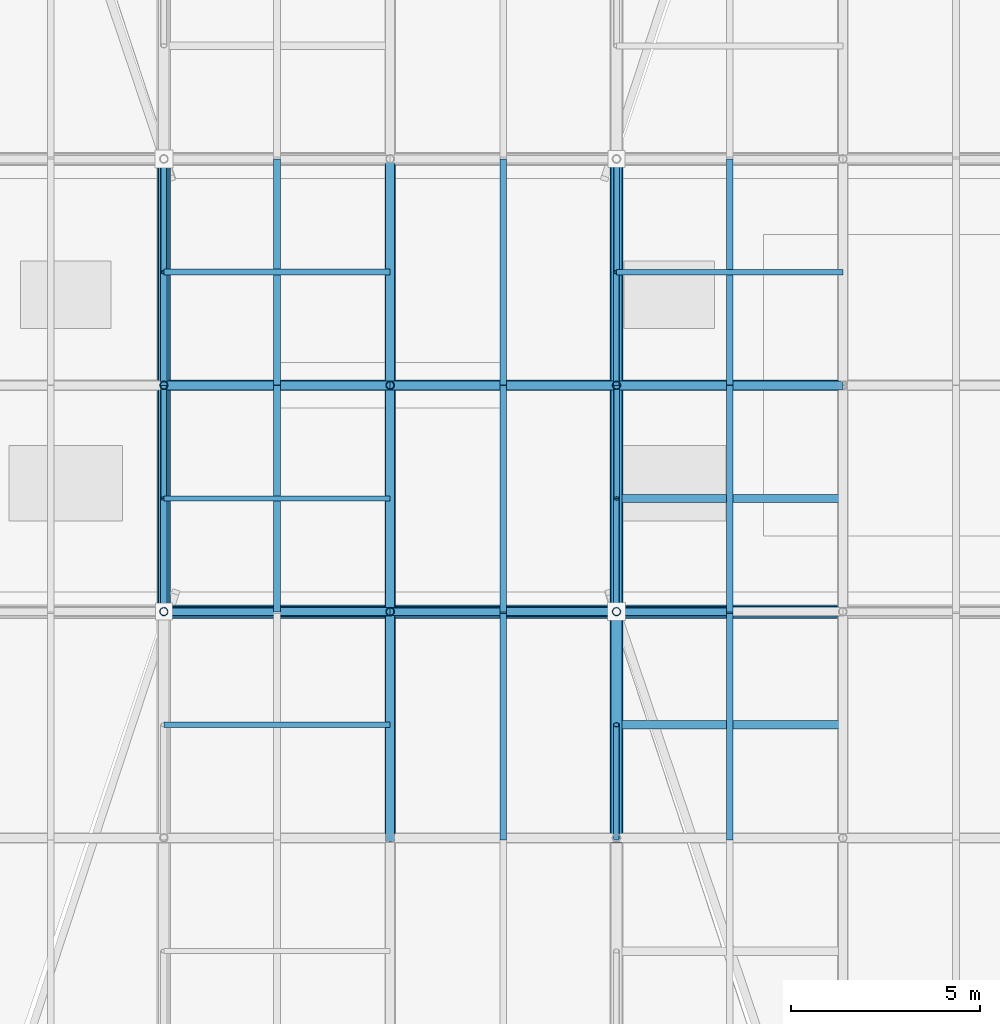
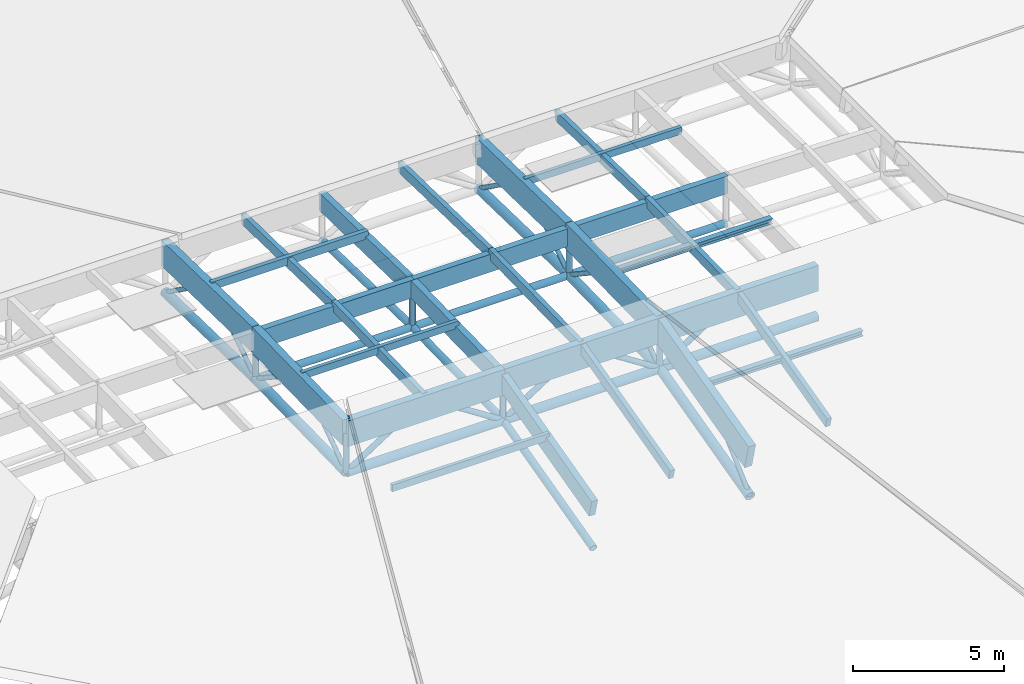
# One storey, part 21 of 80: 62 members.
"""IFC4 building model written with IfcOpenShell, lengths in metres."""

from ifc_helpers import new_model, si_unit, direction, frame, origin, origin_2d, place, context, subcontext, project, spatial, rectangle, hollow_circle, i_section, extrude, material, material_profile, profile_set, type_object, element, save


model = new_model("IFC4")

# Units and contexts
model_context = context("Model", 3, precision=1e-05, world=origin(), true_north=direction((0.0, 1.0)))
body_context = subcontext(model_context, "Body", "Model", "MODEL_VIEW")
ifc_project = project(units=[si_unit("LENGTHUNIT", "METRE"), si_unit("AREAUNIT", "SQUARE_METRE"), si_unit("VOLUMEUNIT", "CUBIC_METRE"), si_unit("PLANEANGLEUNIT", "RADIAN"), si_unit("MASSUNIT", "GRAM", prefix="KILO"), si_unit("THERMODYNAMICTEMPERATUREUNIT", "KELVIN"), si_unit("POWERUNIT", "WATT")], contexts=[model_context])

# Site, building, storey
site_placement = place(None, origin())
site = spatial("IfcSite", under=ifc_project, at=site_placement, CompositionType="ELEMENT")
building_placement = place(site_placement, origin())
building = spatial("IfcBuilding", under=site, at=building_placement, Name="Solmara Park Aquatics Centre", CompositionType="ELEMENT")
storey_placement = place(building_placement, frame((0.0, 0.0, 22.800048828125)))
storey = spatial("IfcBuildingStorey", under=building, at=storey_placement, Name="RF", CompositionType="ELEMENT", Elevation=22.800048828125)

# Members
ifc_material_1 = material(Name="Structural Steel S355", Category="steel")
ifc_material_profile_1 = material_profile(ifc_material_1, hollow_circle(Radius=0.084228515625, WallThickness=0.008056640625, at=origin_2d()), Name="CHS 168.3x8")
ifc_profile_set_1 = profile_set([ifc_material_profile_1], Name="Structural Steel S355")
member_type_1 = type_object("IfcMemberType", Name="STR-BRC-CHS168", PredefinedType="BRACE", material=ifc_profile_set_1)
member_1_placement = place(storey_placement, frame((60.60009765625, 30.60009765625, -6.486328125), z_axis=(0.0, 0.736437262703, 0.67650584484), x_axis=(-1.0, 0.0, 0.0)))
element("IfcMember", 1, at=member_1_placement, inside=storey, type_object=member_type_1, Name="Roof Truss Web Diagonal Y 1969", PredefinedType="BRACE", context=body_context, shape_type="SweptSolid", body=[
    extrude(hollow_circle(Radius=0.084228515625, WallThickness=0.008056640625, at=origin_2d()), origin(), (0.0, 0.0, 1.0), 4.07373046875),
])
member_2_placement = place(storey_placement, frame((48.60009765625, 36.60009765625, -4.9345703125), z_axis=(0.0, 0.817371378816, 0.576111125645), x_axis=(-1.0, 0.0, 0.0)))
element("IfcMember", 2, at=member_2_placement, inside=storey, type_object=member_type_1, Name="Roof Truss Web Diagonal Y 1994", PredefinedType="BRACE", context=body_context, shape_type="SweptSolid", body=[
    extrude(hollow_circle(Radius=0.084228515625, WallThickness=0.008056640625, at=origin_2d()), origin(), (0.0, 0.0, 1.0), 3.67041015625),
])
member_3_placement = place(storey_placement, frame((48.60009765625, 42.60009765625, -4.800048828125), z_axis=(0.0, -0.834611904619, 0.550838423377), x_axis=(1.0, 0.0, 0.0)))
element("IfcMember", 3, at=member_3_placement, inside=storey, type_object=member_type_1, Name="Roof Truss Web Diagonal Y 1995", PredefinedType="BRACE", context=body_context, shape_type="SweptSolid", body=[
    extrude(hollow_circle(Radius=0.084228515625, WallThickness=0.008056640625, at=origin_2d()), origin(), (0.0, 0.0, 1.0), 3.594482421875),
])
member_4_placement = place(storey_placement, frame((60.60009765625, 36.60009765625, -4.9345703125), z_axis=(0.0, 0.817371378816, 0.576111125645), x_axis=(-1.0, 0.0, 0.0)))
element("IfcMember", 4, at=member_4_placement, inside=storey, type_object=member_type_1, Name="Roof Truss Web Diagonal Y 1996", PredefinedType="BRACE", context=body_context, shape_type="SweptSolid", body=[
    extrude(hollow_circle(Radius=0.084228515625, WallThickness=0.008056640625, at=origin_2d()), origin(), (0.0, 0.0, 1.0), 3.67041015625),
])
for number, where, z_axis, x_axis, name in (
    (5, (60.60009765625, 42.60009765625, -4.800048828125), (0.0, -0.834611904619, 0.550838423377), (1.0, 0.0, 0.0), "Roof Truss Web Diagonal Y 1997"),
    (6, (48.60009765625, 42.60009765625, -4.800048828125), (0.0, 0.834611904619, 0.550838423377), (-1.0, 0.0, 0.0), "Roof Truss Web Diagonal Y 2023"),
):
    element("IfcMember", number, at=place(storey_placement, frame(where, z_axis=z_axis, x_axis=x_axis)), inside=storey, type_object=member_type_1, Name=name, PredefinedType="BRACE", context=body_context, shape_type="SweptSolid", body=[
        extrude(hollow_circle(Radius=0.084228515625, WallThickness=0.008056640625, at=origin_2d()), origin(), (0.0, 0.0, 1.0), 3.594482421875),
    ])
member_5_placement = place(storey_placement, frame((48.60009765625, 48.60009765625, -4.9345703125), z_axis=(0.0, -0.817371378816, 0.576111125645), x_axis=(1.0, 0.0, 0.0)))
element("IfcMember", 7, at=member_5_placement, inside=storey, type_object=member_type_1, Name="Roof Truss Web Diagonal Y 2024", PredefinedType="BRACE", context=body_context, shape_type="SweptSolid", body=[
    extrude(hollow_circle(Radius=0.084228515625, WallThickness=0.008056640625, at=origin_2d()), origin(), (0.0, 0.0, 1.0), 3.67041015625),
])
member_6_placement = place(storey_placement, frame((60.60009765625, 42.60009765625, -4.800048828125), z_axis=(0.0, 0.834611904619, 0.550838423377), x_axis=(-1.0, 0.0, 0.0)))
element("IfcMember", 8, at=member_6_placement, inside=storey, type_object=member_type_1, Name="Roof Truss Web Diagonal Y 2025", PredefinedType="BRACE", context=body_context, shape_type="SweptSolid", body=[
    extrude(hollow_circle(Radius=0.084228515625, WallThickness=0.008056640625, at=origin_2d()), origin(), (0.0, 0.0, 1.0), 3.594482421875),
])
member_7_placement = place(storey_placement, frame((60.60009765625, 48.60009765625, -4.9345703125), z_axis=(0.0, -0.817371378816, 0.576111125645), x_axis=(1.0, 0.0, 0.0)))
element("IfcMember", 9, at=member_7_placement, inside=storey, type_object=member_type_1, Name="Roof Truss Web Diagonal Y 2026", PredefinedType="BRACE", context=body_context, shape_type="SweptSolid", body=[
    extrude(hollow_circle(Radius=0.084228515625, WallThickness=0.008056640625, at=origin_2d()), origin(), (0.0, 0.0, 1.0), 3.67041015625),
])
ifc_material_profile_2 = material_profile(ifc_material_1, hollow_circle(Radius=0.109619140625, WallThickness=0.010009765625, at=origin_2d()), Name="CHS 219.1x10")
ifc_profile_set_2 = profile_set([ifc_material_profile_2], Name="Structural Steel S355")
member_type_2 = type_object("IfcMemberType", Name="STR-BRC-CHS219", PredefinedType="BRACE", material=ifc_profile_set_2)
for number, where, z_axis, x_axis, name in (
    (10, (48.60009765625, 36.60009765625, -4.9345703125), (0.83972779743, 0.0, 0.543007574738), (0.0, 1.0, 0.0), "Roof Truss Web Diagonal X 1583"),
    (11, (54.60009765625, 36.60009765625, -4.9345703125), (-0.83972779743, 0.0, 0.543007574738), (0.0, -1.0, 0.0), "Roof Truss Web Diagonal X 1584"),
    (12, (54.60009765625, 36.60009765625, -4.9345703125), (0.83972779743, 0.0, 0.543007574738), (0.0, 1.0, 0.0), "Roof Truss Web Diagonal X 1613"),
    (13, (60.60009765625, 36.60009765625, -4.9345703125), (-0.83972779743, 0.0, 0.543007574738), (0.0, -1.0, 0.0), "Roof Truss Web Diagonal X 1614"),
    (14, (60.60009765625, 36.60009765625, -4.9345703125), (0.83972779743, 0.0, 0.543007574738), (0.0, 1.0, 0.0), "Roof Truss Web Diagonal X 1643"),
):
    element("IfcMember", number, at=place(storey_placement, frame(where, z_axis=z_axis, x_axis=x_axis)), inside=storey, type_object=member_type_2, Name=name, PredefinedType="BRACE", context=body_context, shape_type="SweptSolid", body=[
        extrude(hollow_circle(Radius=0.109619140625, WallThickness=0.010009765625, at=origin_2d()), origin(), (0.0, 0.0, 1.0), 3.572509765625),
    ])
ifc_material_profile_3 = material_profile(ifc_material_1, hollow_circle(Radius=0.136474609375, WallThickness=0.012451171875, at=origin_2d()), Name="CHS 273x12.5")
ifc_profile_set_3 = profile_set([ifc_material_profile_3], Name="Structural Steel S355")
member_type_3 = type_object("IfcMemberType", Name="STR-CHD-CHS273", PredefinedType="CHORD", material=ifc_profile_set_3)
for number, where, z_axis, x_axis, name in (
    (15, (48.60009765625, 42.60009765625, -4.800048828125), (1.0, 0.0, 0.0), (0.0, 1.0, 0.0), "Steel Roof Truss Bottom Chord X 0270"),
    (16, (54.60009765625, 42.60009765625, -4.800048828125), (1.0, 0.0, 0.0), (0.0, 1.0, 0.0), "Steel Roof Truss Bottom Chord X 0272"),
    (17, (60.60009765625, 42.60009765625, -4.800048828125), (1.0, 0.0, 0.0), (0.0, 1.0, 0.0), "Steel Roof Truss Bottom Chord X 0274"),
):
    element("IfcMember", number, at=place(storey_placement, frame(where, z_axis=z_axis, x_axis=x_axis)), inside=storey, type_object=member_type_3, Name=name, PredefinedType="CHORD", context=body_context, shape_type="SweptSolid", body=[
        extrude(hollow_circle(Radius=0.136474609375, WallThickness=0.012451171875, at=origin_2d()), origin(), (0.0, 0.0, 1.0), 6.0),
    ])
member_8_placement = place(storey_placement, frame((54.60009765625, 30.60009765625, -6.486328125), z_axis=(0.0, 0.968145594442, 0.250387914969), x_axis=(-1.0, 0.0, 0.0)))
element("IfcMember", 18, at=member_8_placement, inside=storey, type_object=member_type_3, Name="Steel Roof Truss Bottom Chord Y 0804", PredefinedType="CHORD", context=body_context, shape_type="SweptSolid", body=[
    extrude(hollow_circle(Radius=0.136474609375, WallThickness=0.012451171875, at=origin_2d()), origin(), (0.0, 0.0, 1.0), 6.197509765625),
])
for number, where, z_axis, x_axis, name in (
    (19, (54.60009765625, 36.60009765625, -4.9345703125), (0.0, 0.999748760967, 0.022414614555), (-1.0, 0.0, 0.0), "Steel Roof Truss Bottom Chord Y 0806"),
    (20, (54.60009765625, 42.60009765625, -4.800048828125), (0.0, 0.999748760967, -0.022414614555), (-1.0, 0.0, 0.0), "Steel Roof Truss Bottom Chord Y 0808"),
):
    element("IfcMember", number, at=place(storey_placement, frame(where, z_axis=z_axis, x_axis=x_axis)), inside=storey, type_object=member_type_3, Name=name, PredefinedType="CHORD", context=body_context, shape_type="SweptSolid", body=[
        extrude(hollow_circle(Radius=0.136474609375, WallThickness=0.012451171875, at=origin_2d()), origin(), (0.0, 0.0, 1.0), 6.00146484375),
    ])
ifc_material_profile_4 = material_profile(ifc_material_1, hollow_circle(Radius=0.177734375, WallThickness=0.01611328125, at=origin_2d()), Name="CHS 355.6x16")
ifc_profile_set_4 = profile_set([ifc_material_profile_4], Name="Structural Steel S355")
member_type_4 = type_object("IfcMemberType", Name="STR-CHD-CHS355", PredefinedType="CHORD", material=ifc_profile_set_4)
for number, where, z_axis, x_axis, name in (
    (21, (48.60009765625, 36.60009765625, -4.9345703125), (1.0, 0.0, 0.0), (0.0, 1.0, 0.0), "Steel Roof Truss Bottom Chord X 0234"),
    (22, (54.60009765625, 36.60009765625, -4.9345703125), (1.0, 0.0, 0.0), (0.0, 1.0, 0.0), "Steel Roof Truss Bottom Chord X 0236"),
    (23, (60.60009765625, 36.60009765625, -4.9345703125), (1.0, 0.0, 0.0), (0.0, 1.0, 0.0), "Steel Roof Truss Bottom Chord X 0238"),
):
    element("IfcMember", number, at=place(storey_placement, frame(where, z_axis=z_axis, x_axis=x_axis)), inside=storey, type_object=member_type_4, Name=name, PredefinedType="CHORD", context=body_context, shape_type="SweptSolid", body=[
        extrude(hollow_circle(Radius=0.177734375, WallThickness=0.01611328125, at=origin_2d()), origin(), (0.0, 0.0, 1.0), 6.0),
    ])
for number, where, z_axis, x_axis, name in (
    (24, (48.60009765625, 36.60009765625, -4.9345703125), (0.0, 0.999748760967, 0.022414614555), (-1.0, 0.0, 0.0), "Steel Roof Truss Bottom Chord Y 0778"),
    (25, (48.60009765625, 42.60009765625, -4.800048828125), (0.0, 0.999748760967, -0.022414614555), (-1.0, 0.0, 0.0), "Steel Roof Truss Bottom Chord Y 0780"),
):
    element("IfcMember", number, at=place(storey_placement, frame(where, z_axis=z_axis, x_axis=x_axis)), inside=storey, type_object=member_type_4, Name=name, PredefinedType="CHORD", context=body_context, shape_type="SweptSolid", body=[
        extrude(hollow_circle(Radius=0.177734375, WallThickness=0.01611328125, at=origin_2d()), origin(), (0.0, 0.0, 1.0), 6.00146484375),
    ])
member_9_placement = place(storey_placement, frame((60.60009765625, 30.60009765625, -6.486328125), z_axis=(0.0, 0.968145594442, 0.250387914969), x_axis=(-1.0, 0.0, 0.0)))
element("IfcMember", 26, at=member_9_placement, inside=storey, type_object=member_type_4, Name="Steel Roof Truss Bottom Chord Y 0832", PredefinedType="CHORD", context=body_context, shape_type="SweptSolid", body=[
    extrude(hollow_circle(Radius=0.177734375, WallThickness=0.01611328125, at=origin_2d()), origin(), (0.0, 0.0, 1.0), 6.197509765625),
])
for number, where, z_axis, x_axis, name in (
    (27, (60.60009765625, 36.60009765625, -4.9345703125), (0.0, 0.999748760967, 0.022414614555), (-1.0, 0.0, 0.0), "Steel Roof Truss Bottom Chord Y 0834"),
    (28, (60.60009765625, 42.60009765625, -4.800048828125), (0.0, 0.999748760967, -0.022414614555), (-1.0, 0.0, 0.0), "Steel Roof Truss Bottom Chord Y 0836"),
):
    element("IfcMember", number, at=place(storey_placement, frame(where, z_axis=z_axis, x_axis=x_axis)), inside=storey, type_object=member_type_4, Name=name, PredefinedType="CHORD", context=body_context, shape_type="SweptSolid", body=[
        extrude(hollow_circle(Radius=0.177734375, WallThickness=0.01611328125, at=origin_2d()), origin(), (0.0, 0.0, 1.0), 6.00146484375),
    ])
ifc_material_2 = material(Name="Glulam Timber GL28h", Category="wood")
ifc_material_profile_5 = material_profile(ifc_material_2, rectangle(XDim=0.239990234375, YDim=0.719970703125, at=origin_2d()), Name="GL28h 240x720")
ifc_profile_set_5 = profile_set([ifc_material_profile_5], Name="Glulam Timber GL28h")
member_type_5 = type_object("IfcMemberType", Name="STR-CHD-GL240x720", PredefinedType="CHORD", material=ifc_profile_set_5)
for number, where, z_axis, x_axis, name in (
    (29, (48.60009765625, 42.60009765625, -3.179931640625), (1.0, 0.0, 0.0), (0.0, 1.0, 0.0), "Glulam Roof Truss Top Chord X 0269"),
    (30, (54.60009765625, 42.60009765625, -3.179931640625), (1.0, 0.0, 0.0), (0.0, 1.0, 0.0), "Glulam Roof Truss Top Chord X 0271"),
    (31, (60.60009765625, 42.60009765625, -3.179931640625), (1.0, 0.0, 0.0), (0.0, 1.0, 0.0), "Glulam Roof Truss Top Chord X 0273"),
):
    element("IfcMember", number, at=place(storey_placement, frame(where, z_axis=z_axis, x_axis=x_axis)), inside=storey, type_object=member_type_5, Name=name, PredefinedType="CHORD", context=body_context, shape_type="SweptSolid", body=[
        extrude(rectangle(XDim=0.239990234375, YDim=0.719970703125, at=origin_2d()), origin(), (0.0, 0.0, 1.0), 6.0),
    ])
member_10_placement = place(storey_placement, frame((54.60009765625, 30.60009765625, -4.866455078125), z_axis=(0.0, 0.968145594442, 0.250387914969), x_axis=(-1.0, 0.0, 0.0)))
element("IfcMember", 32, at=member_10_placement, inside=storey, type_object=member_type_5, Name="Glulam Roof Truss Top Chord Y 0803", PredefinedType="CHORD", context=body_context, shape_type="SweptSolid", body=[
    extrude(rectangle(XDim=0.239990234375, YDim=0.719970703125, at=origin_2d()), origin(), (0.0, 0.0, 1.0), 6.197509765625),
])
for number, where, z_axis, x_axis, name in (
    (33, (54.60009765625, 36.60009765625, -3.314697265625), (0.0, 0.999747848546, 0.022455273942), (-1.0, 0.0, 0.0), "Glulam Roof Truss Top Chord Y 0805"),
    (34, (54.60009765625, 42.60009765625, -3.179931640625), (0.0, 0.999747848546, -0.022455273942), (-1.0, 0.0, 0.0), "Glulam Roof Truss Top Chord Y 0807"),
):
    element("IfcMember", number, at=place(storey_placement, frame(where, z_axis=z_axis, x_axis=x_axis)), inside=storey, type_object=member_type_5, Name=name, PredefinedType="CHORD", context=body_context, shape_type="SweptSolid", body=[
        extrude(rectangle(XDim=0.239990234375, YDim=0.719970703125, at=origin_2d()), origin(), (0.0, 0.0, 1.0), 6.00146484375),
    ])
ifc_material_profile_6 = material_profile(ifc_material_2, rectangle(XDim=0.280029296875, YDim=1.0400390625, at=origin_2d()), Name="GL28h 280x1040")
ifc_profile_set_6 = profile_set([ifc_material_profile_6], Name="Glulam Timber GL28h")
member_type_6 = type_object("IfcMemberType", Name="STR-CHD-GL280x1040", PredefinedType="CHORD", material=ifc_profile_set_6)
for number, where, z_axis, x_axis, name in (
    (35, (48.60009765625, 36.60009765625, -3.314697265625), (1.0, 0.0, 0.0), (0.0, 1.0, 0.0), "Glulam Roof Truss Top Chord X 0233"),
    (36, (54.60009765625, 36.60009765625, -3.314697265625), (1.0, 0.0, 0.0), (0.0, 1.0, 0.0), "Glulam Roof Truss Top Chord X 0235"),
    (37, (60.60009765625, 36.60009765625, -3.314697265625), (1.0, 0.0, 0.0), (0.0, 1.0, 0.0), "Glulam Roof Truss Top Chord X 0237"),
):
    element("IfcMember", number, at=place(storey_placement, frame(where, z_axis=z_axis, x_axis=x_axis)), inside=storey, type_object=member_type_6, Name=name, PredefinedType="CHORD", context=body_context, shape_type="SweptSolid", body=[
        extrude(rectangle(XDim=0.280029296875, YDim=1.0400390625, at=origin_2d()), origin(), (0.0, 0.0, 1.0), 6.0),
    ])
for number, where, z_axis, x_axis, name in (
    (38, (48.60009765625, 36.60009765625, -3.314697265625), (0.0, 0.999747848546, 0.022455273942), (-1.0, 0.0, 0.0), "Glulam Roof Truss Top Chord Y 0777"),
    (39, (48.60009765625, 42.60009765625, -3.179931640625), (0.0, 0.999747848546, -0.022455273942), (-1.0, 0.0, 0.0), "Glulam Roof Truss Top Chord Y 0779"),
):
    element("IfcMember", number, at=place(storey_placement, frame(where, z_axis=z_axis, x_axis=x_axis)), inside=storey, type_object=member_type_6, Name=name, PredefinedType="CHORD", context=body_context, shape_type="SweptSolid", body=[
        extrude(rectangle(XDim=0.280029296875, YDim=1.0400390625, at=origin_2d()), origin(), (0.0, 0.0, 1.0), 6.00146484375),
    ])
member_11_placement = place(storey_placement, frame((60.60009765625, 30.60009765625, -4.866455078125), z_axis=(0.0, 0.968145594442, 0.250387914969), x_axis=(-1.0, 0.0, 0.0)))
element("IfcMember", 40, at=member_11_placement, inside=storey, type_object=member_type_6, Name="Glulam Roof Truss Top Chord Y 0831", PredefinedType="CHORD", context=body_context, shape_type="SweptSolid", body=[
    extrude(rectangle(XDim=0.280029296875, YDim=1.0400390625, at=origin_2d()), origin(), (0.0, 0.0, 1.0), 6.197509765625),
])
for number, where, z_axis, x_axis, name in (
    (41, (60.60009765625, 36.60009765625, -3.314697265625), (0.0, 0.999747848546, 0.022455273942), (-1.0, 0.0, 0.0), "Glulam Roof Truss Top Chord Y 0833"),
    (42, (60.60009765625, 42.60009765625, -3.179931640625), (0.0, 0.999747848546, -0.022455273942), (-1.0, 0.0, 0.0), "Glulam Roof Truss Top Chord Y 0835"),
):
    element("IfcMember", number, at=place(storey_placement, frame(where, z_axis=z_axis, x_axis=x_axis)), inside=storey, type_object=member_type_6, Name=name, PredefinedType="CHORD", context=body_context, shape_type="SweptSolid", body=[
        extrude(rectangle(XDim=0.280029296875, YDim=1.0400390625, at=origin_2d()), origin(), (0.0, 0.0, 1.0), 6.00146484375),
    ])
ifc_material_profile_7 = material_profile(ifc_material_2, rectangle(XDim=0.139892578125, YDim=0.280029296875, at=origin_2d()), Name="GL28h 140x280")
ifc_profile_set_7 = profile_set([ifc_material_profile_7], Name="Glulam Timber GL28h")
member_type_7 = type_object("IfcMemberType", Name="STR-PRL-GL140x280", PredefinedType="PURLIN", material=ifc_profile_set_7)
for number, where, z_axis, x_axis, name in (
    (43, (48.60009765625, 33.60009765625, -3.75048828125), (1.0, 0.0, 0.0), (0.0, 1.0, 0.0), "Glulam Secondary Roof Purlin 1956"),
    (44, (48.60009765625, 39.60009765625, -2.840087890625), (1.0, 0.0, 0.0), (0.0, 1.0, 0.0), "Glulam Secondary Roof Purlin 1981"),
    (45, (60.60009765625, 45.60009765625, -2.840087890625), (1.0, 0.0, 0.0), (0.0, 1.0, 0.0), "Glulam Secondary Roof Purlin 2011"),
):
    element("IfcMember", number, at=place(storey_placement, frame(where, z_axis=z_axis, x_axis=x_axis)), inside=storey, type_object=member_type_7, Name=name, PredefinedType="PURLIN", context=body_context, shape_type="SweptSolid", body=[
        extrude(rectangle(XDim=0.139892578125, YDim=0.280029296875, at=origin_2d()), origin(), (0.0, 0.0, 1.0), 6.0),
    ])
ifc_material_profile_8 = material_profile(ifc_material_2, rectangle(XDim=0.159912109375, YDim=0.320068359375, at=origin_2d()), Name="GL28h 160x320")
ifc_profile_set_8 = profile_set([ifc_material_profile_8], Name="Glulam Timber GL28h")
member_type_8 = type_object("IfcMemberType", Name="STR-PRL-GL160x320", PredefinedType="PURLIN", material=ifc_profile_set_8)
member_12_placement = place(storey_placement, frame((48.60009765625, 45.60009765625, -2.840087890625), z_axis=(1.0, 0.0, 0.0), x_axis=(0.0, 1.0, 0.0)))
element("IfcMember", 46, at=member_12_placement, inside=storey, type_object=member_type_8, Name="Glulam Secondary Roof Purlin 2010", PredefinedType="PURLIN", context=body_context, shape_type="SweptSolid", body=[
    extrude(rectangle(XDim=0.159912109375, YDim=0.320068359375, at=origin_2d()), origin(), (0.0, 0.0, 1.0), 6.0),
])
ifc_material_profile_9 = material_profile(ifc_material_2, rectangle(XDim=0.179931640625, YDim=0.39990234375, at=origin_2d()), Name="GL28h 180x400")
ifc_profile_set_9 = profile_set([ifc_material_profile_9], Name="Glulam Timber GL28h")
member_type_9 = type_object("IfcMemberType", Name="STR-PRL-GL180x400", PredefinedType="PURLIN", material=ifc_profile_set_9)
for number, where, z_axis, x_axis, name in (
    (47, (51.60009765625, 36.60009765625, -2.99462890625), (0.0, 0.999748760967, 0.022414614555), (-1.0, 0.0, 0.0), "Glulam Roof Purlin 1569"),
    (48, (51.60009765625, 42.60009765625, -2.860107421875), (0.0, 0.999748760967, -0.022414614555), (-1.0, 0.0, 0.0), "Glulam Roof Purlin 1570"),
):
    element("IfcMember", number, at=place(storey_placement, frame(where, z_axis=z_axis, x_axis=x_axis)), inside=storey, type_object=member_type_9, Name=name, PredefinedType="PURLIN", context=body_context, shape_type="SweptSolid", body=[
        extrude(rectangle(XDim=0.179931640625, YDim=0.39990234375, at=origin_2d()), origin(), (0.0, 0.0, 1.0), 6.00146484375),
    ])
member_13_placement = place(storey_placement, frame((57.60009765625, 30.60009765625, -4.54638671875), z_axis=(0.0, 0.968145594442, 0.250387914969), x_axis=(-1.0, 0.0, 0.0)))
element("IfcMember", 49, at=member_13_placement, inside=storey, type_object=member_type_9, Name="Glulam Roof Purlin 1598", PredefinedType="PURLIN", context=body_context, shape_type="SweptSolid", body=[
    extrude(rectangle(XDim=0.179931640625, YDim=0.39990234375, at=origin_2d()), origin(), (0.0, 0.0, 1.0), 6.197509765625),
])
for number, where, z_axis, x_axis, name in (
    (50, (57.60009765625, 36.60009765625, -2.99462890625), (0.0, 0.999748760967, 0.022414614555), (-1.0, 0.0, 0.0), "Glulam Roof Purlin 1599"),
    (51, (57.60009765625, 42.60009765625, -2.860107421875), (0.0, 0.999748760967, -0.022414614555), (-1.0, 0.0, 0.0), "Glulam Roof Purlin 1600"),
):
    element("IfcMember", number, at=place(storey_placement, frame(where, z_axis=z_axis, x_axis=x_axis)), inside=storey, type_object=member_type_9, Name=name, PredefinedType="PURLIN", context=body_context, shape_type="SweptSolid", body=[
        extrude(rectangle(XDim=0.179931640625, YDim=0.39990234375, at=origin_2d()), origin(), (0.0, 0.0, 1.0), 6.00146484375),
    ])
member_14_placement = place(storey_placement, frame((63.60009765625, 30.60009765625, -4.54638671875), z_axis=(0.0, 0.968145594442, 0.250387914969), x_axis=(-1.0, 0.0, 0.0)))
element("IfcMember", 52, at=member_14_placement, inside=storey, type_object=member_type_9, Name="Glulam Roof Purlin 1628", PredefinedType="PURLIN", context=body_context, shape_type="SweptSolid", body=[
    extrude(rectangle(XDim=0.179931640625, YDim=0.39990234375, at=origin_2d()), origin(), (0.0, 0.0, 1.0), 6.197509765625),
])
for number, where, z_axis, x_axis, name in (
    (53, (63.60009765625, 36.60009765625, -2.99462890625), (0.0, 0.999748760967, 0.022414614555), (-1.0, 0.0, 0.0), "Glulam Roof Purlin 1629"),
    (54, (63.60009765625, 42.60009765625, -2.860107421875), (0.0, 0.999748760967, -0.022414614555), (-1.0, 0.0, 0.0), "Glulam Roof Purlin 1630"),
):
    element("IfcMember", number, at=place(storey_placement, frame(where, z_axis=z_axis, x_axis=x_axis)), inside=storey, type_object=member_type_9, Name=name, PredefinedType="PURLIN", context=body_context, shape_type="SweptSolid", body=[
        extrude(rectangle(XDim=0.179931640625, YDim=0.39990234375, at=origin_2d()), origin(), (0.0, 0.0, 1.0), 6.00146484375),
    ])
ifc_material_profile_10 = material_profile(ifc_material_1, i_section(OverallWidth=0.219970703125, OverallDepth=0.2099609375, WebThickness=0.007080078125, FlangeThickness=0.010986328125, FilletRadius=0.01806640625, at=origin_2d()), Name="HEA 220")
ifc_profile_set_10 = profile_set([ifc_material_profile_10], Name="Structural Steel S355")
member_type_10 = type_object("IfcMemberType", Name="STR-PRL-HEA220", PredefinedType="PURLIN", material=ifc_profile_set_10)
for number, where, z_axis, x_axis, name in (
    (55, (60.60009765625, 33.60009765625, -3.75048828125), (1.0, 0.0, 0.0), (0.0, 1.0, 0.0), "Glulam Secondary Roof Purlin 1957"),
    (56, (60.60009765625, 39.60009765625, -2.840087890625), (1.0, 0.0, 0.0), (0.0, 1.0, 0.0), "Glulam Secondary Roof Purlin 1982"),
):
    element("IfcMember", number, at=place(storey_placement, frame(where, z_axis=z_axis, x_axis=x_axis)), inside=storey, type_object=member_type_10, Name=name, PredefinedType="PURLIN", context=body_context, shape_type="SweptSolid", body=[
        extrude(i_section(OverallWidth=0.219970703125, OverallDepth=0.2099609375, WebThickness=0.007080078125, FlangeThickness=0.010986328125, FilletRadius=0.01806640625, at=origin_2d()), origin(), (0.0, 0.0, 1.0), 6.0),
    ])
ifc_material_profile_11 = material_profile(ifc_material_1, hollow_circle(Radius=0.109619140625, WallThickness=0.010009765625, at=origin_2d()), Name="CHS 219.1x10")
ifc_profile_set_11 = profile_set([ifc_material_profile_11], Name="Structural Steel S355")
member_type_11 = type_object("IfcMemberType", Name="STR-PST-CHS219", PredefinedType="POST", material=ifc_profile_set_11)
member_15_placement = place(storey_placement, frame((48.60009765625, 36.60009765625, -4.9345703125), z_axis=(0.0, 0.0, 1.0), x_axis=(1.0, 0.0, 0.0)))
element("IfcMember", 57, at=member_15_placement, inside=storey, type_object=member_type_11, Name="Roof Truss Web Post 1192", PredefinedType="POST", context=body_context, shape_type="SweptSolid", body=[
    extrude(hollow_circle(Radius=0.109619140625, WallThickness=0.010009765625, at=origin_2d()), origin(), (0.0, 0.0, 1.0), 1.619873046875),
])
member_16_placement = place(storey_placement, frame((48.60009765625, 42.60009765625, -4.800048828125), z_axis=(0.0, 0.0, 1.0), x_axis=(1.0, 0.0, 0.0)))
element("IfcMember", 58, at=member_16_placement, inside=storey, type_object=member_type_11, Name="Roof Truss Web Post 1193", PredefinedType="POST", context=body_context, shape_type="SweptSolid", body=[
    extrude(hollow_circle(Radius=0.109619140625, WallThickness=0.010009765625, at=origin_2d()), origin(), (0.0, 0.0, 1.0), 1.6201171875),
])
member_17_placement = place(storey_placement, frame((54.60009765625, 36.60009765625, -4.9345703125), z_axis=(0.0, 0.0, 1.0), x_axis=(1.0, 0.0, 0.0)))
element("IfcMember", 59, at=member_17_placement, inside=storey, type_object=member_type_11, Name="Roof Truss Web Post 1207", PredefinedType="POST", context=body_context, shape_type="SweptSolid", body=[
    extrude(hollow_circle(Radius=0.109619140625, WallThickness=0.010009765625, at=origin_2d()), origin(), (0.0, 0.0, 1.0), 1.619873046875),
])
member_18_placement = place(storey_placement, frame((54.60009765625, 42.60009765625, -4.800048828125), z_axis=(0.0, 0.0, 1.0), x_axis=(1.0, 0.0, 0.0)))
element("IfcMember", 60, at=member_18_placement, inside=storey, type_object=member_type_11, Name="Roof Truss Web Post 1208", PredefinedType="POST", context=body_context, shape_type="SweptSolid", body=[
    extrude(hollow_circle(Radius=0.109619140625, WallThickness=0.010009765625, at=origin_2d()), origin(), (0.0, 0.0, 1.0), 1.6201171875),
])
member_19_placement = place(storey_placement, frame((60.60009765625, 36.60009765625, -4.9345703125), z_axis=(0.0, 0.0, 1.0), x_axis=(1.0, 0.0, 0.0)))
element("IfcMember", 61, at=member_19_placement, inside=storey, type_object=member_type_11, Name="Roof Truss Web Post 1222", PredefinedType="POST", context=body_context, shape_type="SweptSolid", body=[
    extrude(hollow_circle(Radius=0.109619140625, WallThickness=0.010009765625, at=origin_2d()), origin(), (0.0, 0.0, 1.0), 1.619873046875),
])
member_20_placement = place(storey_placement, frame((60.60009765625, 42.60009765625, -4.800048828125), z_axis=(0.0, 0.0, 1.0), x_axis=(1.0, 0.0, 0.0)))
element("IfcMember", 62, at=member_20_placement, inside=storey, type_object=member_type_11, Name="Roof Truss Web Post 1223", PredefinedType="POST", context=body_context, shape_type="SweptSolid", body=[
    extrude(hollow_circle(Radius=0.109619140625, WallThickness=0.010009765625, at=origin_2d()), origin(), (0.0, 0.0, 1.0), 1.6201171875),
])

save(model, "model.ifc")
